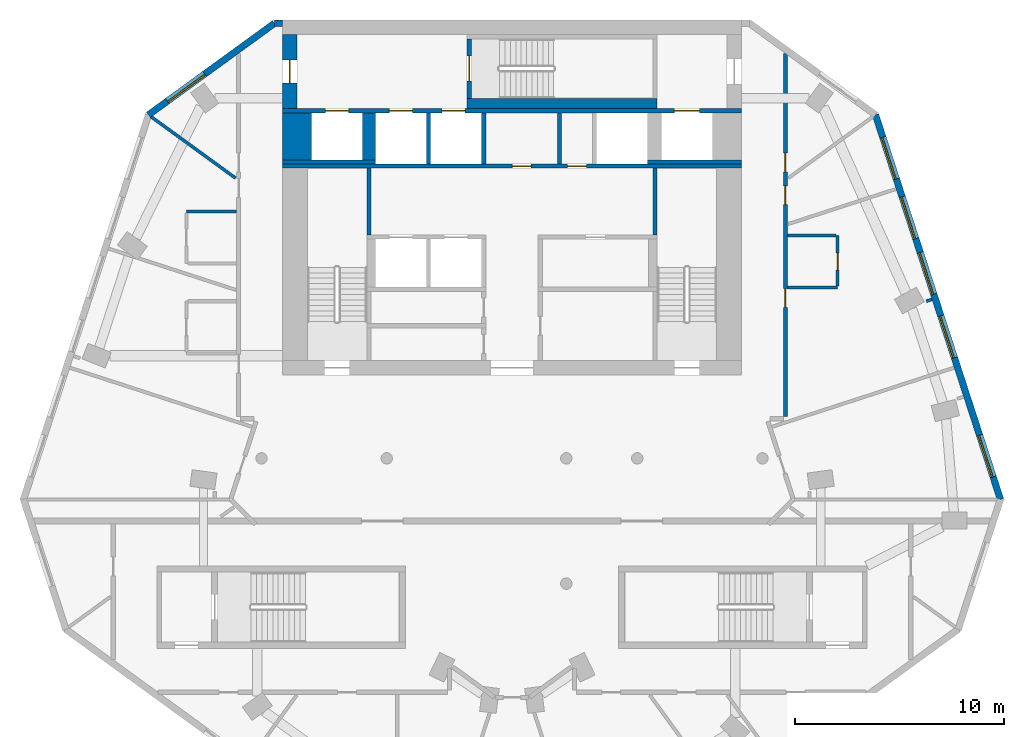
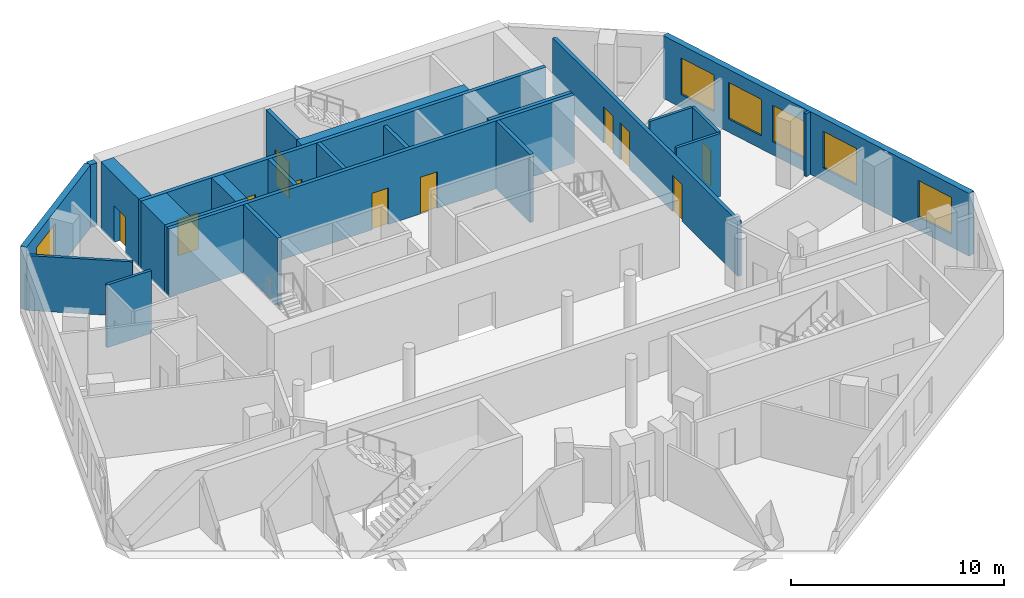
# One storey, part 5 of 8: 24 walls, 12 doors, 6 windows, 18 openings.
"""IFC4 building model written with IfcOpenShell, lengths in metres."""

from ifc_helpers import new_model, si_unit, direction, frame, frame_2d, origin, place, context, subcontext, project, spatial, rectangle, extrude, material, layer, layer_set, type_object, element, fill, save


model = new_model("IFC4")

# Units and contexts
model_context = context("Model", 3, precision=1e-05, world=origin(), true_north=direction((0.0, 1.0)))
body_context = subcontext(model_context, "Body", "Model", "MODEL_VIEW")
ifc_project = project(units=[si_unit("LENGTHUNIT", "METRE"), si_unit("AREAUNIT", "SQUARE_METRE"), si_unit("VOLUMEUNIT", "CUBIC_METRE"), si_unit("PLANEANGLEUNIT", "RADIAN"), si_unit("MASSUNIT", "GRAM", prefix="KILO")], contexts=[model_context])

# Site, building, storey
site_placement = place(None, origin())
site = spatial("IfcSite", under=ifc_project, at=site_placement, CompositionType="ELEMENT")
building_placement = place(site_placement, origin())
building = spatial("IfcBuilding", under=site, at=building_placement, Name="White Candle Pilgrim Tower", CompositionType="ELEMENT")
storey_placement = place(building_placement, frame((0.0, 0.0, 267.800048828125)))
storey = spatial("IfcBuildingStorey", under=building, at=storey_placement, Name="L63", CompositionType="ELEMENT", Elevation=267.800048828125)

# Walls
ifc_material_1 = material(Name="Concrete C50/60", Category="concrete")
ifc_layer_1 = layer(ifc_material_1, 1.39990234375)
ifc_layer_set_1 = layer_set([ifc_layer_1], Name="Core wall 1400 mm Concrete C50/60")
wall_type_1 = type_object("IfcWallType", Name="Core wall 1400 mm Concrete C50/60", PredefinedType="SHEAR", material=ifc_layer_set_1)
wall_1_placement = place(storey_placement, frame((59.699951171875, 81.300048828125, 0.0), z_axis=(0.0, 0.0, 1.0), x_axis=(0.0, 1.0, 0.0)))
element("IfcWall", 1, at=wall_1_placement, inside=storey, type_object=wall_type_1, Name="WL-L63-C39", PredefinedType="SHEAR", context=body_context, shape_type="SweptSolid", body=[
    extrude(rectangle(XDim=2.25, YDim=1.39990234375, at=frame_2d((1.125, 0.0))), origin(), (0.0, 0.0, 1.0), 3.89990234375),
])
ifc_layer_2 = layer(ifc_material_1, 0.199951171875)
ifc_layer_set_2 = layer_set([ifc_layer_2], Name="Core wall 200 mm Concrete C50/60")
wall_type_2 = type_object("IfcWallType", Name="Core wall 200 mm Concrete C50/60", PredefinedType="SHEAR", material=ifc_layer_set_2)
wall_2_placement = place(storey_placement, frame((59.0, 81.199951171875, 0.0), z_axis=(0.0, 0.0, 1.0), x_axis=(1.0, 0.0, 0.0)))
element("IfcWall", 2, at=wall_2_placement, inside=storey, type_object=wall_type_2, Name="WL-L63-C33", PredefinedType="SHEAR", context=body_context, shape_type="SweptSolid", body=[
    extrude(rectangle(XDim=4.449951171875, YDim=0.199951171875, at=frame_2d((2.22509765625, 0.0))), origin(), (0.0, 0.0, 1.0), 3.89990234375),
])
wall_3_placement = place(storey_placement, frame((76.5, 81.199951171875, 0.0), z_axis=(0.0, 0.0, 1.0), x_axis=(1.0, 0.0, 0.0)))
element("IfcWall", 3, at=wall_3_placement, inside=storey, type_object=wall_type_2, Name="WL-L63-C38", PredefinedType="SHEAR", context=body_context, shape_type="SweptSolid", body=[
    extrude(rectangle(XDim=4.5, YDim=0.199951171875, at=frame_2d((2.25, 0.0))), origin(), (0.0, 0.0, 1.0), 3.89990234375),
])

# Wall, openings, doors
wall_4_placement = place(storey_placement, frame((59.0, 83.64990234375, 0.0), z_axis=(0.0, 0.0, 1.0), x_axis=(1.0, 0.0, 0.0)))
wall_4 = element("IfcWall", 4, at=wall_4_placement, inside=storey, type_object=wall_type_2, Name="WL-L63-C43", PredefinedType="SHEAR", context=body_context, shape_type="SweptSolid", body=[
    extrude(rectangle(XDim=22.0, YDim=0.199951171875, at=frame_2d((11.0, 0.0))), origin(), (0.0, 0.0, 1.0), 3.89990234375),
])
opening_1_placement = place(wall_4_placement, frame((5.125, 0.0, 0.0)))
opening_1 = element("IfcOpeningElement", 5, at=opening_1_placement, cuts=wall_4, Name="Opening T19-016", PredefinedType="OPENING", context=body_context, shape_type="SweptSolid", body=[
    extrude(rectangle(XDim=1.10009765625, YDim=2.10009765625, at=frame_2d((0.550048828125, 1.050048828125))), frame((0.0, 0.10986328125, 0.0), z_axis=(0.0, -1.0, 0.0), x_axis=(1.0, 0.0, 0.0)), (0.0, 0.0, 1.0), 0.219970703125),
])
opening_2_placement = place(wall_4_placement, frame((7.64990234375, 0.0, 0.0)))
opening_2 = element("IfcOpeningElement", 6, at=opening_2_placement, cuts=wall_4, Name="Opening T19-017", PredefinedType="OPENING", context=body_context, shape_type="SweptSolid", body=[
    extrude(rectangle(XDim=1.10009765625, YDim=2.10009765625, at=frame_2d((0.550048828125, 1.050048828125))), frame((0.0, 0.10986328125, 0.0), z_axis=(0.0, -1.0, 0.0), x_axis=(1.0, 0.0, 0.0)), (0.0, 0.0, 1.0), 0.219970703125),
])
opening_3_placement = place(wall_4_placement, frame((18.77490234375, 0.0, 0.0)))
opening_3 = element("IfcOpeningElement", 7, at=opening_3_placement, cuts=wall_4, Name="Opening T19-018", PredefinedType="OPENING", context=body_context, shape_type="SweptSolid", body=[
    extrude(rectangle(XDim=1.199951171875, YDim=2.10009765625, at=frame_2d((0.60009765625, 1.050048828125))), frame((0.0, 0.10986328125, 0.0), z_axis=(0.0, -1.0, 0.0), x_axis=(1.0, 0.0, 0.0)), (0.0, 0.0, 1.0), 0.219970703125),
])
opening_4_placement = place(wall_4_placement, frame((2.074951171875, 0.0, 0.0)))
opening_4 = element("IfcOpeningElement", 8, at=opening_4_placement, cuts=wall_4, Name="Opening T19-019", PredefinedType="OPENING", context=body_context, shape_type="SweptSolid", body=[
    extrude(rectangle(XDim=1.10009765625, YDim=2.10009765625, at=frame_2d((0.550048828125, 1.050048828125))), frame((0.0, 0.10986328125, 0.0), z_axis=(0.0, -1.0, 0.0), x_axis=(1.0, 0.0, 0.0)), (0.0, 0.0, 1.0), 0.219970703125),
])
ifc_material_2 = material(Name="Stainless steel", Category="steel")
door_type_1 = type_object("IfcDoorType", Name="Lift landing door 1100 x 2100 EI 60", OperationType="DOUBLE_DOOR_SLIDING", PredefinedType="DOOR", material=ifc_material_2)
door_1_placement = place(opening_1_placement, origin())
door_1 = element("IfcDoor", 9, at=door_1_placement, inside=storey, type_object=door_type_1, Name="Door T19-016", OperationType="DOUBLE_DOOR_SLIDING", OverallHeight=2.10009765625, OverallWidth=1.10009765625, PredefinedType="DOOR", context=body_context, shape_type="SweptSolid", body=[
    extrude(rectangle(XDim=1.10009765625, YDim=2.10009765625, at=frame_2d((0.550048828125, 1.050048828125))), frame((0.0, 0.02490234375, 0.0), z_axis=(0.0, -1.0, 0.0), x_axis=(1.0, 0.0, 0.0)), (0.0, 0.0, 1.0), 0.050048828125),
])
fill(opening_1, door_1)
door_2_placement = place(opening_2_placement, origin())
door_2 = element("IfcDoor", 10, at=door_2_placement, inside=storey, type_object=door_type_1, Name="Door T19-017", OperationType="DOUBLE_DOOR_SLIDING", OverallHeight=2.10009765625, OverallWidth=1.10009765625, PredefinedType="DOOR", context=body_context, shape_type="SweptSolid", body=[
    extrude(rectangle(XDim=1.10009765625, YDim=2.10009765625, at=frame_2d((0.550048828125, 1.050048828125))), frame((0.0, 0.02490234375, 0.0), z_axis=(0.0, -1.0, 0.0), x_axis=(1.0, 0.0, 0.0)), (0.0, 0.0, 1.0), 0.050048828125),
])
fill(opening_2, door_2)
door_3_placement = place(opening_4_placement, origin())
door_3 = element("IfcDoor", 11, at=door_3_placement, inside=storey, type_object=door_type_1, Name="Door T19-019", OperationType="DOUBLE_DOOR_SLIDING", OverallHeight=2.10009765625, OverallWidth=1.10009765625, PredefinedType="DOOR", context=body_context, shape_type="SweptSolid", body=[
    extrude(rectangle(XDim=1.10009765625, YDim=2.10009765625, at=frame_2d((0.550048828125, 1.050048828125))), frame((0.0, 0.02490234375, 0.0), z_axis=(0.0, -1.0, 0.0), x_axis=(1.0, 0.0, 0.0)), (0.0, 0.0, 1.0), 0.050048828125),
])
fill(opening_4, door_3)
door_type_2 = type_object("IfcDoorType", Name="Lift landing door 1200 x 2100 E 60", OperationType="DOUBLE_DOOR_SLIDING", PredefinedType="DOOR", material=ifc_material_2)
door_4_placement = place(opening_3_placement, origin())
door_4 = element("IfcDoor", 12, at=door_4_placement, inside=storey, type_object=door_type_2, Name="Door T19-018", OperationType="DOUBLE_DOOR_SLIDING", OverallHeight=2.10009765625, OverallWidth=1.199951171875, PredefinedType="DOOR", context=body_context, shape_type="SweptSolid", body=[
    extrude(rectangle(XDim=1.199951171875, YDim=2.10009765625, at=frame_2d((0.60009765625, 1.050048828125))), frame((0.0, 0.02490234375, 0.0), z_axis=(0.0, -1.0, 0.0), x_axis=(1.0, 0.0, 0.0)), (0.0, 0.0, 1.0), 0.050048828125),
])
fill(opening_3, door_4)

# Wall, opening, door
ifc_layer_3 = layer(ifc_material_1, 0.699951171875)
ifc_layer_set_3 = layer_set([ifc_layer_3], Name="Core wall 700 mm Concrete C50/60")
wall_type_3 = type_object("IfcWallType", Name="Core wall 700 mm Concrete C50/60", PredefinedType="SHEAR", material=ifc_layer_set_3)
wall_5_placement = place(storey_placement, frame((59.35009765625, 83.75, 0.0), z_axis=(0.0, 0.0, 1.0), x_axis=(0.0, 1.0, 0.0)))
wall_5 = element("IfcWall", 13, at=wall_5_placement, inside=storey, type_object=wall_type_3, Name="WL-L63-C44", PredefinedType="SHEAR", context=body_context, shape_type="SweptSolid", body=[
    extrude(rectangle(XDim=3.550048828125, YDim=0.699951171875, at=frame_2d((1.77490234375, 0.0))), origin(), (0.0, 0.0, 1.0), 3.89990234375),
])
opening_5_placement = place(wall_5_placement, frame((1.22509765625, 0.0, 0.0)))
opening_5 = element("IfcOpeningElement", 14, at=opening_5_placement, cuts=wall_5, Name="Opening T19-008", PredefinedType="OPENING", context=body_context, shape_type="SweptSolid", body=[
    extrude(rectangle(XDim=1.10009765625, YDim=2.10009765625, at=frame_2d((0.550048828125, 1.050048828125))), frame((0.0, 0.35986328125, 0.0), z_axis=(0.0, -1.0, 0.0), x_axis=(1.0, 0.0, 0.0)), (0.0, 0.0, 1.0), 0.719970703125),
])
ifc_material_3 = material(Name="Steel door leaf", Category="steel")
door_type_3 = type_object("IfcDoorType", Name="Fire door 1100 x 2100 EI 60", OperationType="NOTDEFINED", PredefinedType="DOOR", material=ifc_material_3)
door_5_placement = place(opening_5_placement, origin())
door_5 = element("IfcDoor", 15, at=door_5_placement, inside=storey, type_object=door_type_3, Name="Door T19-008", OperationType="SINGLE_SWING_RIGHT", OverallHeight=2.10009765625, OverallWidth=1.10009765625, PredefinedType="DOOR", context=body_context, shape_type="SweptSolid", body=[
    extrude(rectangle(XDim=1.10009765625, YDim=2.10009765625, at=frame_2d((0.550048828125, 1.050048828125))), frame((0.0, 0.02490234375, 0.0), z_axis=(0.0, -1.0, 0.0), x_axis=(1.0, 0.0, 0.0)), (0.0, 0.0, 1.0), 0.050048828125),
])
fill(opening_5, door_5)

# Wall, openings, doors
ifc_material_4 = material(Name="Gypsum board on steel studs", Category="steel")
ifc_layer_4 = layer(ifc_material_4, 0.199951171875)
ifc_layer_set_4 = layer_set([ifc_layer_4], Name="Corridor wall 200 mm EI 45")
wall_type_4 = type_object("IfcWallType", Name="Corridor wall 200 mm EI 45", PredefinedType="PARTITIONING", material=ifc_layer_set_4)
wall_6_placement = place(storey_placement, frame((83.10009765625, 86.396240234375, 0.0), z_axis=(0.0, 0.0, 1.0), x_axis=(0.0, -1.0, 0.0)))
wall_6 = element("IfcWall", 16, at=wall_6_placement, inside=storey, type_object=wall_type_4, Name="WL-L63-P007", PredefinedType="PARTITIONING", context=body_context, shape_type="SweptSolid", body=[
    extrude(rectangle(XDim=17.396240234375, YDim=0.199951171875, at=frame_2d((8.6982421875, 0.0))), origin(), (0.0, 0.0, 1.0), 3.14990234375),
])
opening_6_placement = place(wall_6_placement, frame((4.768798828125, 0.0, 0.0)))
opening_6 = element("IfcOpeningElement", 17, at=opening_6_placement, cuts=wall_6, Name="Opening T19-118", PredefinedType="OPENING", context=body_context, shape_type="SweptSolid", body=[
    extrude(rectangle(XDim=0.89990234375, YDim=2.10009765625, at=frame_2d((0.449951171875, 1.050048828125))), frame((0.0, 0.10986328125, 0.0), z_axis=(0.0, -1.0, 0.0), x_axis=(1.0, 0.0, 0.0)), (0.0, 0.0, 1.0), 0.219970703125),
])
opening_7_placement = place(wall_6_placement, frame((6.34521484375, 0.0, 0.0)))
opening_7 = element("IfcOpeningElement", 18, at=opening_7_placement, cuts=wall_6, Name="Opening T19-119", PredefinedType="OPENING", context=body_context, shape_type="SweptSolid", body=[
    extrude(rectangle(XDim=0.89990234375, YDim=2.10009765625, at=frame_2d((0.449951171875, 1.050048828125))), frame((0.0, 0.10986328125, 0.0), z_axis=(0.0, -1.0, 0.0), x_axis=(1.0, 0.0, 0.0)), (0.0, 0.0, 1.0), 0.219970703125),
])
opening_8_placement = place(wall_6_placement, frame((11.259033203125, 0.0, 0.0)))
opening_8 = element("IfcOpeningElement", 19, at=opening_8_placement, cuts=wall_6, Name="Opening T19-120", PredefinedType="OPENING", context=body_context, shape_type="SweptSolid", body=[
    extrude(rectangle(XDim=0.89990234375, YDim=2.10009765625, at=frame_2d((0.449951171875, 1.050048828125))), frame((0.0, 0.10986328125, 0.0), z_axis=(0.0, -1.0, 0.0), x_axis=(1.0, 0.0, 0.0)), (0.0, 0.0, 1.0), 0.219970703125),
])
door_type_4 = type_object("IfcDoorType", Name="Fire door 900 x 2100 EI 30", OperationType="NOTDEFINED", PredefinedType="DOOR", material=ifc_material_3)
door_6_placement = place(opening_6_placement, origin())
door_6 = element("IfcDoor", 20, at=door_6_placement, inside=storey, type_object=door_type_4, Name="Door T19-118", OperationType="SINGLE_SWING_RIGHT", OverallHeight=2.10009765625, OverallWidth=0.89990234375, PredefinedType="DOOR", context=body_context, shape_type="SweptSolid", body=[
    extrude(rectangle(XDim=0.89990234375, YDim=2.10009765625, at=frame_2d((0.449951171875, 1.050048828125))), frame((0.0, 0.02490234375, 0.0), z_axis=(0.0, -1.0, 0.0), x_axis=(1.0, 0.0, 0.0)), (0.0, 0.0, 1.0), 0.050048828125),
])
fill(opening_6, door_6)
door_7_placement = place(opening_7_placement, origin())
door_7 = element("IfcDoor", 21, at=door_7_placement, inside=storey, type_object=door_type_4, Name="Door T19-119", OperationType="SINGLE_SWING_LEFT", OverallHeight=2.10009765625, OverallWidth=0.89990234375, PredefinedType="DOOR", context=body_context, shape_type="SweptSolid", body=[
    extrude(rectangle(XDim=0.89990234375, YDim=2.10009765625, at=frame_2d((0.449951171875, 1.050048828125))), frame((0.0, 0.02490234375, 0.0), z_axis=(0.0, -1.0, 0.0), x_axis=(1.0, 0.0, 0.0)), (0.0, 0.0, 1.0), 0.050048828125),
])
fill(opening_7, door_7)
door_8_placement = place(opening_8_placement, frame((0.89990234375, 0.0, 0.0), z_axis=(0.0, 0.0, 1.0), x_axis=(-1.0, 0.0, 0.0)))
door_8 = element("IfcDoor", 22, at=door_8_placement, inside=storey, type_object=door_type_4, Name="Door T19-120", OperationType="SINGLE_SWING_LEFT", OverallHeight=2.10009765625, OverallWidth=0.89990234375, PredefinedType="DOOR", context=body_context, shape_type="SweptSolid", body=[
    extrude(rectangle(XDim=0.89990234375, YDim=2.10009765625, at=frame_2d((0.449951171875, 1.050048828125))), frame((0.0, 0.02490234375, 0.0), z_axis=(0.0, -1.0, 0.0), x_axis=(1.0, 0.0, 0.0)), (0.0, 0.0, 1.0), 0.050048828125),
])
fill(opening_8, door_8)

# Wall, openings, windows
ifc_material_5 = material(Name="Precast concrete C40/50", Category="concrete")
ifc_layer_5 = layer(ifc_material_5, 0.320068359375)
ifc_layer_set_5 = layer_set([ifc_layer_5], Name="Facade wall EW1 precast concrete C40/50 pier wall with timber-lined reveals")
wall_type_5 = type_object("IfcWallType", Name="Facade wall EW1 precast concrete C40/50 pier wall with timber-lined reveals", PredefinedType="SOLIDWALL", material=ifc_layer_set_5)
wall_7_placement = place(storey_placement, frame((93.40087890625, 65.03759765625, 0.0), z_axis=(0.0, 0.0, 1.0), x_axis=(-0.309018808064, 0.95105592699, 0.0)))
wall_7 = element("IfcWall", 23, at=wall_7_placement, inside=storey, type_object=wall_type_5, Name="Facade wall L63 ENE", PredefinedType="SOLIDWALL", context=body_context, shape_type="SweptSolid", body=[
    extrude(rectangle(XDim=19.368896484375, YDim=0.320068359375, at=frame_2d((9.6845703125, 0.0))), origin(), (0.0, 0.0, 1.0), 3.599853515625),
])
opening_9_placement = place(wall_7_placement, frame((1.134521484375, 0.0, 0.75)))
opening_9 = element("IfcOpeningElement", 24, at=opening_9_placement, cuts=wall_7, Name="Opening W3", PredefinedType="OPENING", context=body_context, shape_type="SweptSolid", body=[
    extrude(rectangle(XDim=2.10009765625, YDim=2.10009765625, at=frame_2d((1.050048828125, 1.050048828125))), frame((0.0, 0.169921875, 0.0), z_axis=(0.0, -1.0, 0.0), x_axis=(1.0, 0.0, 0.0)), (0.0, 0.0, 1.0), 0.340087890625),
])
opening_10_placement = place(wall_7_placement, frame((7.134521484375, 0.0, 0.75)))
opening_10 = element("IfcOpeningElement", 25, at=opening_10_placement, cuts=wall_7, Name="Opening W3", PredefinedType="OPENING", context=body_context, shape_type="SweptSolid", body=[
    extrude(rectangle(XDim=2.10009765625, YDim=2.10009765625, at=frame_2d((1.050048828125, 1.050048828125))), frame((0.0, 0.169921875, 0.0), z_axis=(0.0, -1.0, 0.0), x_axis=(1.0, 0.0, 0.0)), (0.0, 0.0, 1.0), 0.340087890625),
])
opening_11_placement = place(wall_7_placement, frame((10.33447265625, 0.0, 0.75)))
opening_11 = element("IfcOpeningElement", 26, at=opening_11_placement, cuts=wall_7, Name="Opening W3", PredefinedType="OPENING", context=body_context, shape_type="SweptSolid", body=[
    extrude(rectangle(XDim=2.10009765625, YDim=2.10009765625, at=frame_2d((1.050048828125, 1.050048828125))), frame((0.0, 0.169921875, 0.0), z_axis=(0.0, -1.0, 0.0), x_axis=(1.0, 0.0, 0.0)), (0.0, 0.0, 1.0), 0.340087890625),
])
opening_12_placement = place(wall_7_placement, frame((13.134521484375, 0.0, 0.75)))
opening_12 = element("IfcOpeningElement", 27, at=opening_12_placement, cuts=wall_7, Name="Opening W3", PredefinedType="OPENING", context=body_context, shape_type="SweptSolid", body=[
    extrude(rectangle(XDim=2.10009765625, YDim=2.10009765625, at=frame_2d((1.050048828125, 1.050048828125))), frame((0.0, 0.169921875, 0.0), z_axis=(0.0, -1.0, 0.0), x_axis=(1.0, 0.0, 0.0)), (0.0, 0.0, 1.0), 0.340087890625),
])
opening_13_placement = place(wall_7_placement, frame((16.134521484375, 0.0, 0.75)))
opening_13 = element("IfcOpeningElement", 28, at=opening_13_placement, cuts=wall_7, Name="Opening W3", PredefinedType="OPENING", context=body_context, shape_type="SweptSolid", body=[
    extrude(rectangle(XDim=2.10009765625, YDim=2.10009765625, at=frame_2d((1.050048828125, 1.050048828125))), frame((0.0, 0.169921875, 0.0), z_axis=(0.0, -1.0, 0.0), x_axis=(1.0, 0.0, 0.0)), (0.0, 0.0, 1.0), 0.340087890625),
])
ifc_material_6 = material(Name="Timber frame with triple glazing", Category="wood")
window_type_1 = type_object("IfcWindowType", Name="Window W3 2100x2100 timber frame triple glazing", PartitioningType="SINGLE_PANEL", PredefinedType="WINDOW", material=ifc_material_6)
window_1_placement = place(opening_9_placement, origin())
window_1 = element("IfcWindow", 29, at=window_1_placement, inside=storey, type_object=window_type_1, Name="Window W3 L63 ENE 1", OverallHeight=2.10009765625, OverallWidth=2.10009765625, PartitioningType="SINGLE_PANEL", PredefinedType="WINDOW", context=body_context, shape_type="SweptSolid", body=[
    extrude(rectangle(XDim=2.10009765625, YDim=2.10009765625, at=frame_2d((1.050048828125, 1.050048828125))), frame((0.0, 0.070068359375, 0.0), z_axis=(0.0, -1.0, 0.0), x_axis=(1.0, 0.0, 0.0)), (0.0, 0.0, 1.0), 0.06005859375),
])
fill(opening_9, window_1)
window_2_placement = place(opening_10_placement, origin())
window_2 = element("IfcWindow", 30, at=window_2_placement, inside=storey, type_object=window_type_1, Name="Window W3 L63 ENE 3", OverallHeight=2.10009765625, OverallWidth=2.10009765625, PartitioningType="SINGLE_PANEL", PredefinedType="WINDOW", context=body_context, shape_type="SweptSolid", body=[
    extrude(rectangle(XDim=2.10009765625, YDim=2.10009765625, at=frame_2d((1.050048828125, 1.050048828125))), frame((0.0, 0.070068359375, 0.0), z_axis=(0.0, -1.0, 0.0), x_axis=(1.0, 0.0, 0.0)), (0.0, 0.0, 1.0), 0.06005859375),
])
fill(opening_10, window_2)
window_3_placement = place(opening_11_placement, origin())
window_3 = element("IfcWindow", 31, at=window_3_placement, inside=storey, type_object=window_type_1, Name="Window W3 L63 ENE 4", OverallHeight=2.10009765625, OverallWidth=2.10009765625, PartitioningType="SINGLE_PANEL", PredefinedType="WINDOW", context=body_context, shape_type="SweptSolid", body=[
    extrude(rectangle(XDim=2.10009765625, YDim=2.10009765625, at=frame_2d((1.050048828125, 1.050048828125))), frame((0.0, 0.070068359375, 0.0), z_axis=(0.0, -1.0, 0.0), x_axis=(1.0, 0.0, 0.0)), (0.0, 0.0, 1.0), 0.06005859375),
])
fill(opening_11, window_3)
window_4_placement = place(opening_12_placement, origin())
window_4 = element("IfcWindow", 32, at=window_4_placement, inside=storey, type_object=window_type_1, Name="Window W3 L63 ENE 5", OverallHeight=2.10009765625, OverallWidth=2.10009765625, PartitioningType="SINGLE_PANEL", PredefinedType="WINDOW", context=body_context, shape_type="SweptSolid", body=[
    extrude(rectangle(XDim=2.10009765625, YDim=2.10009765625, at=frame_2d((1.050048828125, 1.050048828125))), frame((0.0, 0.070068359375, 0.0), z_axis=(0.0, -1.0, 0.0), x_axis=(1.0, 0.0, 0.0)), (0.0, 0.0, 1.0), 0.06005859375),
])
fill(opening_12, window_4)
window_5_placement = place(opening_13_placement, origin())
window_5 = element("IfcWindow", 33, at=window_5_placement, inside=storey, type_object=window_type_1, Name="Window W3 L63 ENE 6", OverallHeight=2.10009765625, OverallWidth=2.10009765625, PartitioningType="SINGLE_PANEL", PredefinedType="WINDOW", context=body_context, shape_type="SweptSolid", body=[
    extrude(rectangle(XDim=2.10009765625, YDim=2.10009765625, at=frame_2d((1.050048828125, 1.050048828125))), frame((0.0, 0.070068359375, 0.0), z_axis=(0.0, -1.0, 0.0), x_axis=(1.0, 0.0, 0.0)), (0.0, 0.0, 1.0), 0.06005859375),
])
fill(opening_13, window_5)

# Wall
wall_8_placement = place(storey_placement, frame((59.0, 87.840087890625, 0.0), z_axis=(0.0, 0.0, 1.0), x_axis=(-1.0, 0.0, 0.0)))
element("IfcWall", 34, at=wall_8_placement, inside=storey, type_object=wall_type_5, Name="Facade wall L63 N", PredefinedType="SOLIDWALL", context=body_context, shape_type="SweptSolid", body=[
    extrude(rectangle(XDim=0.385009765625, YDim=0.320068359375, at=frame_2d((0.1923828125, 0.0))), origin(), (0.0, 0.0, 1.0), 3.599853515625),
])

# Wall, opening, window
wall_9_placement = place(storey_placement, frame((58.614990234375, 87.840087890625, 0.0), z_axis=(0.0, 0.0, 1.0), x_axis=(-0.80900651237, -0.587799679264, 0.0)))
wall_9 = element("IfcWall", 35, at=wall_9_placement, inside=storey, type_object=wall_type_5, Name="Facade wall L63 NW chamfer", PredefinedType="SOLIDWALL", context=body_context, shape_type="SweptSolid", body=[
    extrude(rectangle(XDim=7.454345703125, YDim=0.320068359375, at=frame_2d((3.72705078125, 0.0))), origin(), (0.0, 0.0, 1.0), 3.599853515625),
])
opening_14_placement = place(wall_9_placement, frame((4.127197265625, 0.0, 0.75)))
opening_14 = element("IfcOpeningElement", 36, at=opening_14_placement, cuts=wall_9, Name="Opening W4", PredefinedType="OPENING", context=body_context, shape_type="SweptSolid", body=[
    extrude(rectangle(XDim=2.199951171875, YDim=2.10009765625, at=frame_2d((1.10009765625, 1.050048828125))), frame((0.0, 0.169921875, 0.0), z_axis=(0.0, -1.0, 0.0), x_axis=(1.0, 0.0, 0.0)), (0.0, 0.0, 1.0), 0.340087890625),
])
window_type_2 = type_object("IfcWindowType", Name="Window W4 2200x2100 timber frame triple glazing", PartitioningType="SINGLE_PANEL", PredefinedType="WINDOW", material=ifc_material_6)
window_6_placement = place(opening_14_placement, origin())
window_6 = element("IfcWindow", 37, at=window_6_placement, inside=storey, type_object=window_type_2, Name="Window W4 L63 NW chamfer 2", OverallHeight=2.10009765625, OverallWidth=2.199951171875, PartitioningType="SINGLE_PANEL", PredefinedType="WINDOW", context=body_context, shape_type="SweptSolid", body=[
    extrude(rectangle(XDim=2.199951171875, YDim=2.10009765625, at=frame_2d((1.10009765625, 1.050048828125))), frame((0.0, 0.070068359375, 0.0), z_axis=(0.0, -1.0, 0.0), x_axis=(1.0, 0.0, 0.0)), (0.0, 0.0, 1.0), 0.06005859375),
])
fill(opening_14, window_6)

# Walls
ifc_layer_6 = layer(ifc_material_4, 0.199951171875)
ifc_layer_set_6 = layer_set([ifc_layer_6], Name="Lobby wall 200 mm EI 60")
wall_type_6 = type_object("IfcWallType", Name="Lobby wall 200 mm EI 60", PredefinedType="PARTITIONING", material=ifc_layer_set_6)
wall_10_placement = place(storey_placement, frame((72.280029296875, 81.10009765625, 0.0), z_axis=(0.0, 0.0, 1.0), x_axis=(0.0, 1.0, 0.0)))
element("IfcWall", 38, at=wall_10_placement, inside=storey, type_object=wall_type_6, Name="WL-L63-C36", PredefinedType="PARTITIONING", context=body_context, shape_type="SweptSolid", body=[
    extrude(rectangle(XDim=2.449951171875, YDim=0.199951171875, at=frame_2d((1.22509765625, 0.0))), origin(), (0.0, 0.0, 1.0), 3.599853515625),
])
ifc_layer_7 = layer(ifc_material_4, 0.14990234375)
ifc_layer_set_7 = layer_set([ifc_layer_7], Name="Partition 150 mm EI 60")
wall_type_7 = type_object("IfcWallType", Name="Partition 150 mm EI 60", PredefinedType="PARTITIONING", material=ifc_layer_set_7)
wall_11_placement = place(storey_placement, frame((52.720458984375, 83.359619140625, 0.0), z_axis=(0.0, 0.0, 1.0), x_axis=(0.809017493514, -0.587784565286, 0.0)))
element("IfcWall", 39, at=wall_11_placement, inside=storey, type_object=wall_type_7, Name="WL-L63-P019", PredefinedType="PARTITIONING", context=body_context, shape_type="SweptSolid", body=[
    extrude(rectangle(XDim=4.988037109375, YDim=0.14990234375, at=frame_2d((2.494140625, 0.0))), origin(), (0.0, 0.0, 1.0), 3.14990234375),
])
for number, where, z_axis, x_axis, name in (
    (40, (56.800048828125, 78.827880859375, 0.0), (0.0, 0.0, 1.0), (-1.0, 0.0, 0.0), "WL-L63-P031"),
    (41, (83.199951171875, 75.182373046875, 0.0), (0.0, 0.0, 1.0), (1.0, 0.0, 0.0), "WL-L63-P044"),
):
    element("IfcWall", number, at=place(storey_placement, frame(where, z_axis=z_axis, x_axis=x_axis)), inside=storey, type_object=wall_type_7, Name=name, PredefinedType="PARTITIONING", context=body_context, shape_type="SweptSolid", body=[
        extrude(rectangle(XDim=2.400146484375, YDim=0.14990234375, at=frame_2d((1.2001953125, 0.0))), origin(), (0.0, 0.0, 1.0), 3.599853515625),
    ])

# Wall, opening, door
wall_12_placement = place(storey_placement, frame((85.60009765625, 77.682373046875, 0.0), z_axis=(0.0, 0.0, 1.0), x_axis=(0.0, -1.0, 0.0)))
wall_12 = element("IfcWall", 42, at=wall_12_placement, inside=storey, type_object=wall_type_7, Name="WL-L63-P045", PredefinedType="PARTITIONING", context=body_context, shape_type="SweptSolid", body=[
    extrude(rectangle(XDim=2.425048828125, YDim=0.14990234375, at=frame_2d((1.21240234375, 0.0))), origin(), (0.0, 0.0, 1.0), 3.599853515625),
])
opening_15_placement = place(wall_12_placement, frame((0.85009765625, 0.0, 0.0)))
opening_15 = element("IfcOpeningElement", 43, at=opening_15_placement, cuts=wall_12, Name="Opening T19-110", PredefinedType="OPENING", context=body_context, shape_type="SweptSolid", body=[
    extrude(rectangle(XDim=0.800048828125, YDim=2.10009765625, at=frame_2d((0.39990234375, 1.050048828125))), frame((0.0, 0.0849609375, 0.0), z_axis=(0.0, -1.0, 0.0), x_axis=(1.0, 0.0, 0.0)), (0.0, 0.0, 1.0), 0.169921875),
])
door_type_5 = type_object("IfcDoorType", Name="Fire door 800 x 2100 EI 30", OperationType="NOTDEFINED", PredefinedType="DOOR", material=ifc_material_3)
door_9_placement = place(opening_15_placement, origin())
door_9 = element("IfcDoor", 44, at=door_9_placement, inside=storey, type_object=door_type_5, Name="Door T19-110", OperationType="SINGLE_SWING_RIGHT", OverallHeight=2.10009765625, OverallWidth=0.800048828125, PredefinedType="DOOR", context=body_context, shape_type="SweptSolid", body=[
    extrude(rectangle(XDim=0.800048828125, YDim=2.10009765625, at=frame_2d((0.39990234375, 1.050048828125))), frame((0.0, 0.02490234375, 0.0), z_axis=(0.0, -1.0, 0.0), x_axis=(1.0, 0.0, 0.0)), (0.0, 0.0, 1.0), 0.050048828125),
])
fill(opening_15, door_9)

# Walls
wall_13_placement = place(storey_placement, frame((83.199951171875, 77.682373046875, 0.0), z_axis=(0.0, 0.0, 1.0), x_axis=(1.0, 0.0, 0.0)))
element("IfcWall", 45, at=wall_13_placement, inside=storey, type_object=wall_type_7, Name="WL-L63-P046", PredefinedType="PARTITIONING", context=body_context, shape_type="SweptSolid", body=[
    extrude(rectangle(XDim=2.324951171875, YDim=0.14990234375, at=frame_2d((1.16259765625, 0.0))), origin(), (0.0, 0.0, 1.0), 3.599853515625),
])
wall_14_placement = place(storey_placement, frame((89.844482421875, 74.528564453125, 0.0), z_axis=(0.0, 0.0, 1.0), x_axis=(0.950934896197, 0.30939105222, 0.0)))
element("IfcWall", 46, at=wall_14_placement, inside=storey, type_object=wall_type_7, Name="WL-L63-P050", PredefinedType="PARTITIONING", context=body_context, shape_type="SweptSolid", body=[
    extrude(rectangle(XDim=0.28955078125, YDim=0.14990234375, at=frame_2d((0.144775390625, 0.0))), origin(), (0.0, 0.0, 1.0), 3.599853515625),
])
ifc_layer_8 = layer(ifc_material_1, 0.199951171875)
ifc_layer_set_8 = layer_set([ifc_layer_8], Name="Shaft wall 200 mm Concrete C50/60")
wall_type_8 = type_object("IfcWallType", Name="Shaft wall 200 mm Concrete C50/60", PredefinedType="SHEAR", material=ifc_layer_set_8)
for number, where, z_axis, x_axis, name in (
    (47, (66.0, 81.10009765625, 0.0), (0.0, 0.0, 1.0), (0.0, 1.0, 0.0), "WL-L63-C34"),
    (48, (68.64990234375, 81.10009765625, 0.0), (0.0, 0.0, 1.0), (0.0, 1.0, 0.0), "WL-L63-C35"),
):
    element("IfcWall", number, at=place(storey_placement, frame(where, z_axis=z_axis, x_axis=x_axis)), inside=storey, type_object=wall_type_8, Name=name, PredefinedType="SHEAR", context=body_context, shape_type="SweptSolid", body=[
        extrude(rectangle(XDim=2.449951171875, YDim=0.199951171875, at=frame_2d((1.22509765625, 0.0))), origin(), (0.0, 0.0, 1.0), 3.89990234375),
    ])
ifc_layer_9 = layer(ifc_material_1, 0.60009765625)
ifc_layer_set_9 = layer_set([ifc_layer_9], Name="Shaft wall 600 mm Concrete C50/60")
wall_type_9 = type_object("IfcWallType", Name="Shaft wall 600 mm Concrete C50/60", PredefinedType="SHEAR", material=ifc_layer_set_9)
wall_15_placement = place(storey_placement, frame((63.14990234375, 81.300048828125, 0.0), z_axis=(0.0, 0.0, 1.0), x_axis=(0.0, 1.0, 0.0)))
element("IfcWall", 49, at=wall_15_placement, inside=storey, type_object=wall_type_9, Name="WL-L63-C40", PredefinedType="SHEAR", context=body_context, shape_type="SweptSolid", body=[
    extrude(rectangle(XDim=2.25, YDim=0.60009765625, at=frame_2d((1.125, 0.0))), origin(), (0.0, 0.0, 1.0), 3.89990234375),
])
ifc_layer_10 = layer(ifc_material_1, 0.199951171875)
ifc_layer_set_10 = layer_set([ifc_layer_10], Name="Stair shaft wall 200 mm Concrete C50/60")
wall_type_10 = type_object("IfcWallType", Name="Stair shaft wall 200 mm Concrete C50/60", PredefinedType="SHEAR", material=ifc_layer_set_10)
for number, where, z_axis, x_axis, name in (
    (50, (63.14990234375, 77.699951171875, 0.0), (0.0, 0.0, 1.0), (0.0, 1.0, 0.0), "WL-L63-C30"),
    (51, (76.85009765625, 77.699951171875, 0.0), (0.0, 0.0, 1.0), (0.0, 1.0, 0.0), "WL-L63-C31"),
):
    element("IfcWall", number, at=place(storey_placement, frame(where, z_axis=z_axis, x_axis=x_axis)), inside=storey, type_object=wall_type_10, Name=name, PredefinedType="SHEAR", context=body_context, shape_type="SweptSolid", body=[
        extrude(rectangle(XDim=3.199951171875, YDim=0.199951171875, at=frame_2d((1.60009765625, 0.0))), origin(), (0.0, 0.0, 1.0), 3.89990234375),
    ])

# Wall, openings, doors
wall_16_placement = place(storey_placement, frame((59.0, 81.0, 0.0), z_axis=(0.0, 0.0, 1.0), x_axis=(1.0, 0.0, 0.0)))
wall_16 = element("IfcWall", 52, at=wall_16_placement, inside=storey, type_object=wall_type_10, Name="WL-L63-C32", PredefinedType="SHEAR", context=body_context, shape_type="SweptSolid", body=[
    extrude(rectangle(XDim=22.0, YDim=0.199951171875, at=frame_2d((11.0, 0.0))), origin(), (0.0, 0.0, 1.0), 3.89990234375),
])
opening_16_placement = place(wall_16_placement, frame((11.014892578125, 0.0, 0.0)))
opening_16 = element("IfcOpeningElement", 53, at=opening_16_placement, cuts=wall_16, Name="Opening T19-021", PredefinedType="OPENING", context=body_context, shape_type="SweptSolid", body=[
    extrude(rectangle(XDim=0.89990234375, YDim=2.10009765625, at=frame_2d((0.449951171875, 1.050048828125))), frame((0.0, 0.10986328125, 0.0), z_axis=(0.0, -1.0, 0.0), x_axis=(1.0, 0.0, 0.0)), (0.0, 0.0, 1.0), 0.219970703125),
])
opening_17_placement = place(wall_16_placement, frame((13.6650390625, 0.0, 0.0)))
opening_17 = element("IfcOpeningElement", 54, at=opening_17_placement, cuts=wall_16, Name="Opening T19-022", PredefinedType="OPENING", context=body_context, shape_type="SweptSolid", body=[
    extrude(rectangle(XDim=0.89990234375, YDim=2.10009765625, at=frame_2d((0.449951171875, 1.050048828125))), frame((0.0, 0.10986328125, 0.0), z_axis=(0.0, -1.0, 0.0), x_axis=(1.0, 0.0, 0.0)), (0.0, 0.0, 1.0), 0.219970703125),
])
door_10_placement = place(opening_16_placement, origin())
door_10 = element("IfcDoor", 55, at=door_10_placement, inside=storey, type_object=door_type_4, Name="Door T19-021", OperationType="SINGLE_SWING_LEFT", OverallHeight=2.10009765625, OverallWidth=0.89990234375, PredefinedType="DOOR", context=body_context, shape_type="SweptSolid", body=[
    extrude(rectangle(XDim=0.89990234375, YDim=2.10009765625, at=frame_2d((0.449951171875, 1.050048828125))), frame((0.0, 0.02490234375, 0.0), z_axis=(0.0, -1.0, 0.0), x_axis=(1.0, 0.0, 0.0)), (0.0, 0.0, 1.0), 0.050048828125),
])
fill(opening_16, door_10)
door_11_placement = place(opening_17_placement, origin())
door_11 = element("IfcDoor", 56, at=door_11_placement, inside=storey, type_object=door_type_4, Name="Door T19-022", OperationType="SINGLE_SWING_RIGHT", OverallHeight=2.10009765625, OverallWidth=0.89990234375, PredefinedType="DOOR", context=body_context, shape_type="SweptSolid", body=[
    extrude(rectangle(XDim=0.89990234375, YDim=2.10009765625, at=frame_2d((0.449951171875, 1.050048828125))), frame((0.0, 0.02490234375, 0.0), z_axis=(0.0, -1.0, 0.0), x_axis=(1.0, 0.0, 0.0)), (0.0, 0.0, 1.0), 0.050048828125),
])
fill(opening_17, door_11)

# Wall, opening, door
wall_17_placement = place(storey_placement, frame((67.949951171875, 84.25, 0.0), z_axis=(0.0, 0.0, 1.0), x_axis=(0.0, 1.0, 0.0)))
wall_17 = element("IfcWall", 57, at=wall_17_placement, inside=storey, type_object=wall_type_10, Name="WL-L63-C47", PredefinedType="SHEAR", context=body_context, shape_type="SweptSolid", body=[
    extrude(rectangle(XDim=2.85009765625, YDim=0.199951171875, at=frame_2d((1.425048828125, 0.0))), origin(), (0.0, 0.0, 1.0), 3.89990234375),
])
opening_18_placement = place(wall_17_placement, frame((0.824951171875, 0.0, 0.0)))
opening_18 = element("IfcOpeningElement", 58, at=opening_18_placement, cuts=wall_17, Name="Opening T19-003", PredefinedType="OPENING", context=body_context, shape_type="SweptSolid", body=[
    extrude(rectangle(XDim=1.199951171875, YDim=2.10009765625, at=frame_2d((0.60009765625, 1.050048828125))), frame((0.0, 0.10986328125, 0.0), z_axis=(0.0, -1.0, 0.0), x_axis=(1.0, 0.0, 0.0)), (0.0, 0.0, 1.0), 0.219970703125),
])
door_type_6 = type_object("IfcDoorType", Name="Fire door 1200 x 2100 EI 60", OperationType="NOTDEFINED", PredefinedType="DOOR", material=ifc_material_3)
door_12_placement = place(opening_18_placement, frame((1.199951171875, 0.0, 0.0), z_axis=(0.0, 0.0, 1.0), x_axis=(-1.0, 0.0, 0.0)))
door_12 = element("IfcDoor", 59, at=door_12_placement, inside=storey, type_object=door_type_6, Name="Door T19-003", OperationType="SINGLE_SWING_RIGHT", OverallHeight=2.10009765625, OverallWidth=1.199951171875, PredefinedType="DOOR", context=body_context, shape_type="SweptSolid", body=[
    extrude(rectangle(XDim=1.199951171875, YDim=2.10009765625, at=frame_2d((0.60009765625, 1.050048828125))), frame((0.0, 0.02490234375, 0.0), z_axis=(0.0, -1.0, 0.0), x_axis=(1.0, 0.0, 0.0)), (0.0, 0.0, 1.0), 0.050048828125),
])
fill(opening_18, door_12)

# Wall
ifc_layer_11 = layer(ifc_material_1, 0.5)
ifc_layer_set_11 = layer_set([ifc_layer_11], Name="Stair shaft wall 500 mm Concrete C50/60")
wall_type_11 = type_object("IfcWallType", Name="Stair shaft wall 500 mm Concrete C50/60", PredefinedType="SHEAR", material=ifc_layer_set_11)
wall_18_placement = place(storey_placement, frame((67.85009765625, 84.0, 0.0), z_axis=(0.0, 0.0, 1.0), x_axis=(1.0, 0.0, 0.0)))
element("IfcWall", 60, at=wall_18_placement, inside=storey, type_object=wall_type_11, Name="WL-L63-C45", PredefinedType="SHEAR", context=body_context, shape_type="SweptSolid", body=[
    extrude(rectangle(XDim=9.099853515625, YDim=0.5, at=frame_2d((4.5498046875, 0.0))), origin(), (0.0, 0.0, 1.0), 3.89990234375),
])

save(model, "model.ifc")
